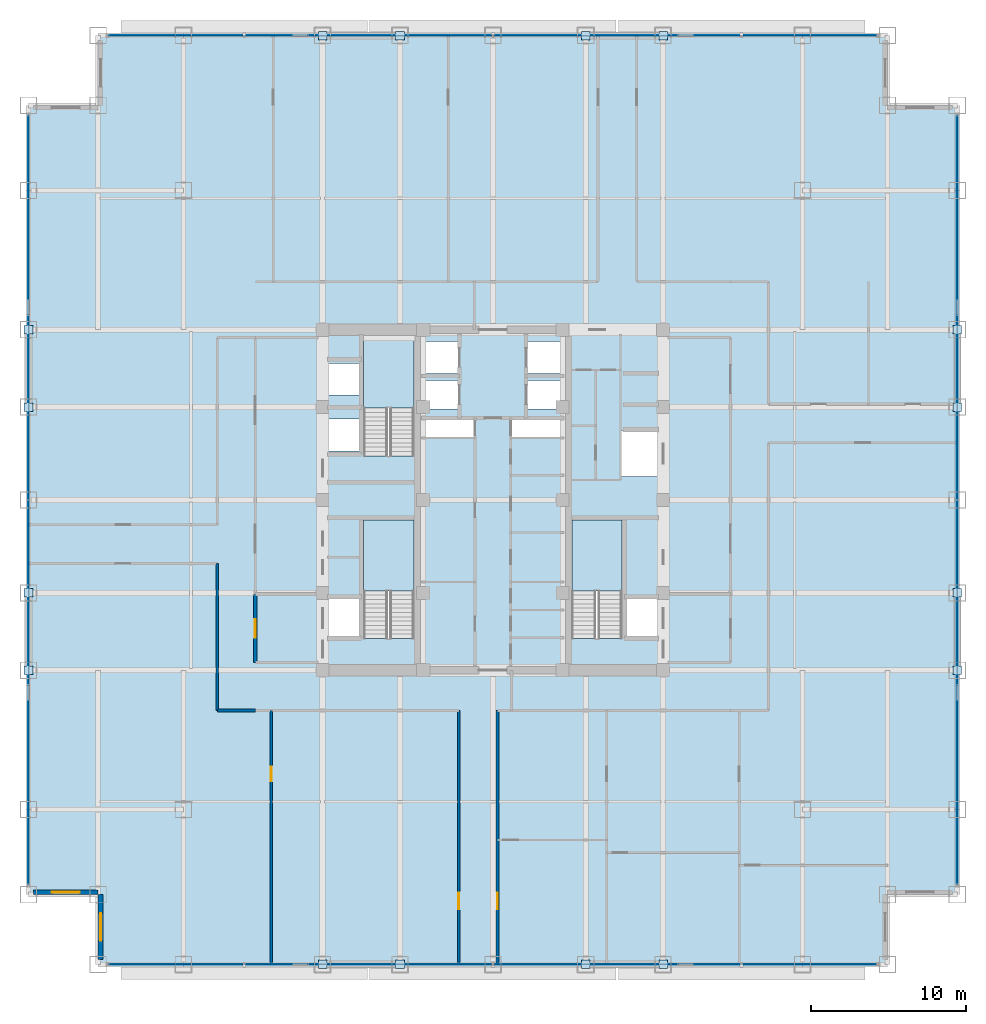
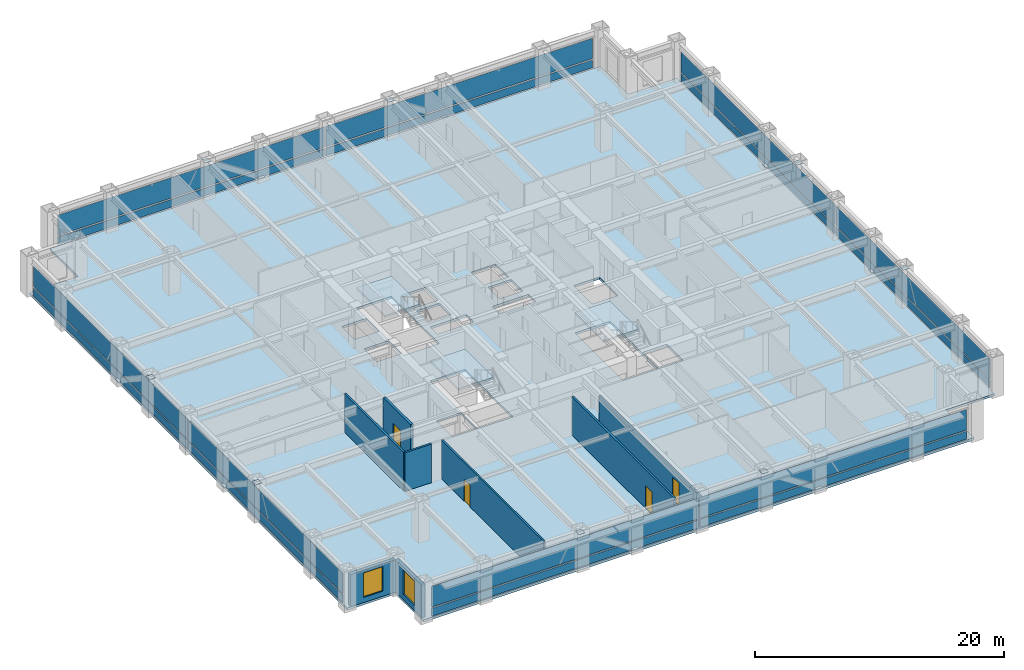
# One storey, part 19 of 28: 32 plates, 8 walls, 4 doors, 4 slabs, 2 windows, 6 openings, 7 elements without a shape of their own.
"""IFC4 building model written with IfcOpenShell, lengths in metres."""

from ifc_helpers import new_model, si_unit, direction, frame, frame_2d, origin, origin_2d, place, context, subcontext, project, spatial, polyline, rectangle, outline, extrude, source, transform, mapped, material, layer, layer_set, type_object, element, fill, aggregate, save


model = new_model("IFC4")

# Units and contexts
model_context = context("Model", 3, precision=1e-05, world=origin(), true_north=direction((0.0, 1.0)))
body_context = subcontext(model_context, "Body", "Model", "MODEL_VIEW")
ifc_project = project(units=[si_unit("LENGTHUNIT", "METRE"), si_unit("AREAUNIT", "SQUARE_METRE"), si_unit("VOLUMEUNIT", "CUBIC_METRE"), si_unit("PLANEANGLEUNIT", "RADIAN"), si_unit("MASSUNIT", "GRAM", prefix="KILO")], contexts=[model_context])

# Site, building, storey
site_placement = place(None, origin())
site = spatial("IfcSite", under=ifc_project, at=site_placement, CompositionType="ELEMENT")
building_placement = place(site_placement, origin())
building = spatial("IfcBuilding", under=site, at=building_placement, Name="Khorayat Bourse Tower", CompositionType="ELEMENT")
storey_placement = place(building_placement, frame((0.0, 0.0, 191.10009765625)))
storey = spatial("IfcBuildingStorey", under=building, at=storey_placement, Name="L44", CompositionType="ELEMENT", Elevation=191.10009765625)

# Stair, slab
ifc_material_1 = material(Name="Concrete C40/50", Category="concrete")
stair_type = type_object("IfcStairType", Name="STR-CORE-1550", PredefinedType="HALF_TURN_STAIR", material=ifc_material_1)
stair_1_placement = place(storey_placement, origin())
stair_1 = element("IfcStair", 1, at=stair_1_placement, inside=storey, type_object=stair_type, Name="L44 Exit Stair ST-1", PredefinedType="HALF_TURN_STAIR")
ifc_layer_1 = layer(ifc_material_1, 0.199951171875)
ifc_layer_set_1 = layer_set([ifc_layer_1], Name="Concrete C40/50")
slab_type_1 = type_object("IfcSlabType", Name="SLB-LANDING-200", PredefinedType="LANDING", material=ifc_layer_set_1)
slab_1_placement = place(storey_placement, frame((0.0, 0.0, 1.7998046875)))
slab_1 = element("IfcSlab", 2, at=slab_1_placement, type_object=slab_type_1, Name="ST-1 landing 1", PredefinedType="LANDING", context=body_context, shape_type="SweptSolid", body=[
    extrude(outline(polyline([(-5.10009765625, -5.8701171875), (-5.10009765625, -1.300048828125), (-8.35009765625, -1.300048828125), (-8.35009765625, -5.8701171875), (-5.10009765625, -5.8701171875)])), origin(), (0.0, 0.0, 1.0), 0.2001953125),
])
aggregate(stair_1, [slab_1])

stair_2_placement = place(storey_placement, origin())
stair_2 = element("IfcStair", 3, at=stair_2_placement, inside=storey, type_object=stair_type, Name="L44 Exit Stair ST-2", PredefinedType="HALF_TURN_STAIR")
slab_2_placement = place(storey_placement, frame((0.0, 0.0, 1.7998046875)))
slab_2 = element("IfcSlab", 4, at=slab_2_placement, type_object=slab_type_1, Name="ST-2 landing 1", PredefinedType="LANDING", context=body_context, shape_type="SweptSolid", body=[
    extrude(outline(polyline([(-5.10009765625, 5.929931640625), (-5.10009765625, 10.5), (-8.35009765625, 10.5), (-8.35009765625, 5.929931640625), (-5.10009765625, 5.929931640625)])), origin(), (0.0, 0.0, 1.0), 0.2001953125),
])
aggregate(stair_2, [slab_2])

stair_3_placement = place(storey_placement, origin())
stair_3 = element("IfcStair", 5, at=stair_3_placement, inside=storey, type_object=stair_type, Name="L44 Exit Stair ST-3", PredefinedType="HALF_TURN_STAIR")
slab_3_placement = place(storey_placement, frame((0.0, 0.0, 1.7998046875)))
slab_3 = element("IfcSlab", 6, at=slab_3_placement, type_object=slab_type_1, Name="ST-3 landing 1", PredefinedType="LANDING", context=body_context, shape_type="SweptSolid", body=[
    extrude(outline(polyline([(8.35009765625, -5.8701171875), (8.35009765625, -1.300048828125), (5.10009765625, -1.300048828125), (5.10009765625, -5.8701171875), (8.35009765625, -5.8701171875)])), origin(), (0.0, 0.0, 1.0), 0.2001953125),
])
aggregate(stair_3, [slab_3])

# Slab
ifc_layer_2 = layer(ifc_material_1, 0.219970703125)
ifc_layer_set_2 = layer_set([ifc_layer_2], Name="Concrete C40/50")
slab_type_2 = type_object("IfcSlabType", Name="SLB-OFFICE-220", PredefinedType="FLOOR", material=ifc_layer_set_2)
slab_4_placement = place(storey_placement, frame((0.0, 0.0, -0.22021484375)))
element("IfcSlab", 7, at=slab_4_placement, inside=storey, type_object=slab_type_2, Name="L44 Main Floor Slab", PredefinedType="FLOOR", context=body_context, shape_type="SweptSolid", body=[
    extrude(outline(polyline([(-25.5, -30.0), (25.5, -30.0), (25.5, -25.5), (30.0, -25.5), (30.0, 25.5), (25.5, 25.5), (25.5, 30.0), (-25.5, 30.0), (-25.5, 25.5), (-30.0, 25.5), (-30.0, -25.5), (-25.5, -25.5), (-25.5, -30.0)]), holes=[polyline([(-8.35009765625, -8.945068359375), (-5.10009765625, -8.945068359375), (-5.10009765625, -1.300048828125), (-8.35009765625, -1.300048828125), (-8.35009765625, -8.945068359375)]), polyline([(-8.35009765625, 2.85498046875), (-5.10009765625, 2.85498046875), (-5.10009765625, 10.5), (-8.35009765625, 10.5), (-8.35009765625, 2.85498046875)]), polyline([(5.10009765625, -8.945068359375), (8.35009765625, -8.945068359375), (8.35009765625, -1.300048828125), (5.10009765625, -1.300048828125), (5.10009765625, -8.945068359375)]), polyline([(-4.3798828125, 8.169921875), (-2.1201171875, 8.169921875), (-2.1201171875, 10.22998046875), (-4.3798828125, 10.22998046875), (-4.3798828125, 8.169921875)]), polyline([(2.1201171875, 8.169921875), (4.3798828125, 8.169921875), (4.3798828125, 10.22998046875), (2.1201171875, 10.22998046875), (2.1201171875, 8.169921875)]), polyline([(-4.3798828125, 5.8701171875), (-2.219970703125, 5.8701171875), (-2.219970703125, 7.72998046875), (-4.3798828125, 7.72998046875), (-4.3798828125, 5.8701171875)]), polyline([(2.219970703125, 5.8701171875), (4.3798828125, 5.8701171875), (4.3798828125, 7.72998046875), (2.219970703125, 7.72998046875), (2.219970703125, 5.8701171875)]), polyline([(-10.679931640625, 3.169921875), (-8.419921875, 3.169921875), (-8.419921875, 5.22998046875), (-10.679931640625, 5.22998046875), (-10.679931640625, 3.169921875)]), polyline([(-10.679931640625, 6.77001953125), (-8.419921875, 6.77001953125), (-8.419921875, 8.830078125), (-10.679931640625, 8.830078125), (-10.679931640625, 6.77001953125)]), polyline([(-10.679931640625, -8.929931640625), (-8.419921875, -8.929931640625), (-8.419921875, -6.3701171875), (-10.679931640625, -6.3701171875), (-10.679931640625, -8.929931640625)]), polyline([(8.419921875, -8.929931640625), (10.679931640625, -8.929931640625), (10.679931640625, -6.3701171875), (8.419921875, -6.3701171875), (8.419921875, -8.929931640625)]), polyline([(8.320068359375, 1.52001953125), (10.679931640625, 1.52001953125), (10.679931640625, 4.47998046875), (8.320068359375, 4.47998046875), (8.320068359375, 1.52001953125)]), polyline([(-4.56005859375, 4.080078125), (-1.18994140625, 4.080078125), (-1.18994140625, 5.219970703125), (-4.56005859375, 5.219970703125), (-4.56005859375, 4.080078125)]), polyline([(1.18994140625, 4.080078125), (4.56005859375, 4.080078125), (4.56005859375, 5.219970703125), (1.18994140625, 5.219970703125), (1.18994140625, 4.080078125)])]), origin(), (0.0, 0.0, 1.0), 0.22021484375),
])

# Plates
ifc_material_2 = material(Name="Steel EN 10025-2 S355J2", Category="steel")
ifc_layer_3 = layer(ifc_material_2, 0.02490234375)
ifc_layer_set_3 = layer_set([ifc_layer_3], Name="Steel EN 10025-2 S355J2")
plate_type_1 = type_object("IfcPlateType", Name="PLT-ENDCAP-25", PredefinedType="SHEET", material=ifc_layer_set_3)
shared_shape_1 = source(origin(), body_context, "Body", "SweptSolid", [
    extrude(rectangle(XDim=0.56005859375, YDim=0.56005859375, at=origin_2d()), origin(), (0.0, 0.0, 1.0), 0.02490234375),
])
for number, where, z_axis, x_axis, name in (
    (8, (-11.0, -30.0, 3.517333984375), (0.0, 0.0, 1.0), (1.0, 0.0, 0.0), "L44 Perimeter Brace End Plate 001"),
    (9, (-6.0, -30.0, 0.237548828125), (0.0, 0.0, 1.0), (1.0, 0.0, 0.0), "L44 Perimeter Brace End Plate 002"),
    (10, (6.0, -30.0, 3.517333984375), (0.0, 0.0, 1.0), (1.0, 0.0, 0.0), "L44 Perimeter Brace End Plate 003"),
    (11, (11.0, -30.0, 0.237548828125), (0.0, 0.0, 1.0), (1.0, 0.0, 0.0), "L44 Perimeter Brace End Plate 004"),
    (12, (-11.0, 30.0, 3.517333984375), (0.0, 0.0, 1.0), (1.0, 0.0, 0.0), "L44 Perimeter Brace End Plate 005"),
    (13, (-6.0, 30.0, 0.237548828125), (0.0, 0.0, 1.0), (1.0, 0.0, 0.0), "L44 Perimeter Brace End Plate 006"),
    (14, (6.0, 30.0, 3.517333984375), (0.0, 0.0, 1.0), (1.0, 0.0, 0.0), "L44 Perimeter Brace End Plate 007"),
    (15, (11.0, 30.0, 0.237548828125), (0.0, 0.0, 1.0), (1.0, 0.0, 0.0), "L44 Perimeter Brace End Plate 008"),
    (16, (-30.0, -11.0, 3.517333984375), (0.0, 0.0, 1.0), (1.0, 0.0, 0.0), "L44 Perimeter Brace End Plate 009"),
    (17, (-30.0, -6.0, 0.237548828125), (0.0, 0.0, 1.0), (1.0, 0.0, 0.0), "L44 Perimeter Brace End Plate 010"),
    (18, (-30.0, 6.0, 3.517333984375), (0.0, 0.0, 1.0), (1.0, 0.0, 0.0), "L44 Perimeter Brace End Plate 011"),
    (19, (-30.0, 11.0, 0.237548828125), (0.0, 0.0, 1.0), (1.0, 0.0, 0.0), "L44 Perimeter Brace End Plate 012"),
    (20, (30.0, -11.0, 3.517333984375), (0.0, 0.0, 1.0), (1.0, 0.0, 0.0), "L44 Perimeter Brace End Plate 013"),
    (21, (30.0, -6.0, 0.237548828125), (0.0, 0.0, 1.0), (1.0, 0.0, 0.0), "L44 Perimeter Brace End Plate 014"),
    (22, (30.0, 6.0, 3.517333984375), (0.0, 0.0, 1.0), (1.0, 0.0, 0.0), "L44 Perimeter Brace End Plate 015"),
    (23, (30.0, 11.0, 0.237548828125), (0.0, 0.0, 1.0), (1.0, 0.0, 0.0), "L44 Perimeter Brace End Plate 016"),
):
    element("IfcPlate", number, at=place(storey_placement, frame(where, z_axis=z_axis, x_axis=x_axis)), inside=storey, type_object=plate_type_1, Name=name, PredefinedType="SHEET", context=body_context, shape_type="MappedRepresentation", body=[
        mapped(shared_shape_1, transform((0.0, 0.0, 0.0), scale=1.0)),
    ])

# Curtain wall, plates
ifc_material_3 = material(Name="Aluminium EN AW-6063 T6", Category="aluminium")
curtain_wall_type = type_object("IfcCurtainWallType", Name="CW-SYS-03", PredefinedType="NOTDEFINED", material=ifc_material_3)
curtain_wall_1_placement = place(storey_placement, origin())
curtain_wall_1 = element("IfcCurtainWall", 24, at=curtain_wall_1_placement, inside=storey, type_object=curtain_wall_type, Name="L44 Curtain Wall CW-L44-S1", PredefinedType="NOTDEFINED")
ifc_material_4 = material(Name="Honed desert limestone insulated spandrel", Category="masonry")
ifc_layer_4 = layer(ifc_material_4, 0.06494140625)
ifc_layer_set_4 = layer_set([ifc_layer_4], Name="Honed desert limestone insulated spandrel")
plate_type_2 = type_object("IfcPlateType", Name="CWP-SPAND-03", PredefinedType="CURTAIN_PANEL", material=ifc_layer_set_4)
shared_shape_2 = source(origin(), body_context, "Body", "SweptSolid", [
    extrude(rectangle(XDim=24.719970703125, YDim=0.06494140625, at=origin_2d()), origin(), (0.0, 0.0, 1.0), 0.77001953125),
])
plate_1_placement = place(storey_placement, frame((-12.419921875, -30.0, 0.119873046875), z_axis=(0.0, 0.0, 1.0), x_axis=(1.0, 0.0, 0.0)))
plate_1 = element("IfcPlate", 25, at=plate_1_placement, type_object=plate_type_2, Name="CW-L44-S1 Spandrel Panel 1-1", PredefinedType="CURTAIN_PANEL", context=body_context, shape_type="MappedRepresentation", body=[
    mapped(shared_shape_2, transform((0.0, 0.0, 0.0), scale=1.0)),
])
plate_2_placement = place(storey_placement, frame((12.419921875, -30.0, 0.119873046875), z_axis=(0.0, 0.0, 1.0), x_axis=(1.0, 0.0, 0.0)))
plate_2 = element("IfcPlate", 26, at=plate_2_placement, type_object=plate_type_2, Name="CW-L44-S1 Spandrel Panel 2-1", PredefinedType="CURTAIN_PANEL", context=body_context, shape_type="MappedRepresentation", body=[
    mapped(shared_shape_2, transform((0.0, 0.0, 0.0), scale=1.0)),
])

curtain_wall_2_placement = place(storey_placement, origin())
curtain_wall_2 = element("IfcCurtainWall", 27, at=curtain_wall_2_placement, inside=storey, type_object=curtain_wall_type, Name="L44 Curtain Wall CW-L44-N1", PredefinedType="NOTDEFINED")
plate_3_placement = place(storey_placement, frame((-12.419921875, 30.0, 0.119873046875), z_axis=(0.0, 0.0, 1.0), x_axis=(1.0, 0.0, 0.0)))
plate_3 = element("IfcPlate", 28, at=plate_3_placement, type_object=plate_type_2, Name="CW-L44-N1 Spandrel Panel 1-1", PredefinedType="CURTAIN_PANEL", context=body_context, shape_type="MappedRepresentation", body=[
    mapped(shared_shape_2, transform((0.0, 0.0, 0.0), scale=1.0)),
])
plate_4_placement = place(storey_placement, frame((12.419921875, 30.0, 0.119873046875), z_axis=(0.0, 0.0, 1.0), x_axis=(1.0, 0.0, 0.0)))
plate_4 = element("IfcPlate", 29, at=plate_4_placement, type_object=plate_type_2, Name="CW-L44-N1 Spandrel Panel 2-1", PredefinedType="CURTAIN_PANEL", context=body_context, shape_type="MappedRepresentation", body=[
    mapped(shared_shape_2, transform((0.0, 0.0, 0.0), scale=1.0)),
])

curtain_wall_3_placement = place(storey_placement, origin())
curtain_wall_3 = element("IfcCurtainWall", 30, at=curtain_wall_3_placement, inside=storey, type_object=curtain_wall_type, Name="L44 Curtain Wall CW-L44-W1", PredefinedType="NOTDEFINED")
plate_5_placement = place(storey_placement, frame((-30.0, -12.419921875, 0.119873046875), z_axis=(0.0, 0.0, 1.0), x_axis=(0.0, 1.0, 0.0)))
plate_5 = element("IfcPlate", 31, at=plate_5_placement, type_object=plate_type_2, Name="CW-L44-W1 Spandrel Panel 1-1", PredefinedType="CURTAIN_PANEL", context=body_context, shape_type="MappedRepresentation", body=[
    mapped(shared_shape_2, transform((0.0, 0.0, 0.0), scale=1.0)),
])
plate_6_placement = place(storey_placement, frame((-30.0, 12.419921875, 0.119873046875), z_axis=(0.0, 0.0, 1.0), x_axis=(0.0, 1.0, 0.0)))
plate_6 = element("IfcPlate", 32, at=plate_6_placement, type_object=plate_type_2, Name="CW-L44-W1 Spandrel Panel 2-1", PredefinedType="CURTAIN_PANEL", context=body_context, shape_type="MappedRepresentation", body=[
    mapped(shared_shape_2, transform((0.0, 0.0, 0.0), scale=1.0)),
])

curtain_wall_4_placement = place(storey_placement, origin())
curtain_wall_4 = element("IfcCurtainWall", 33, at=curtain_wall_4_placement, inside=storey, type_object=curtain_wall_type, Name="L44 Curtain Wall CW-L44-E1", PredefinedType="NOTDEFINED")
plate_7_placement = place(storey_placement, frame((30.0, -12.419921875, 0.119873046875), z_axis=(0.0, 0.0, 1.0), x_axis=(0.0, 1.0, 0.0)))
plate_7 = element("IfcPlate", 34, at=plate_7_placement, type_object=plate_type_2, Name="CW-L44-E1 Spandrel Panel 1-1", PredefinedType="CURTAIN_PANEL", context=body_context, shape_type="MappedRepresentation", body=[
    mapped(shared_shape_2, transform((0.0, 0.0, 0.0), scale=1.0)),
])
plate_8_placement = place(storey_placement, frame((30.0, 12.419921875, 0.119873046875), z_axis=(0.0, 0.0, 1.0), x_axis=(0.0, 1.0, 0.0)))
plate_8 = element("IfcPlate", 35, at=plate_8_placement, type_object=plate_type_2, Name="CW-L44-E1 Spandrel Panel 2-1", PredefinedType="CURTAIN_PANEL", context=body_context, shape_type="MappedRepresentation", body=[
    mapped(shared_shape_2, transform((0.0, 0.0, 0.0), scale=1.0)),
])

# Plate
ifc_material_5 = material(Name="Low-E solar-control laminated double glazing", Category="glass")
ifc_layer_5 = layer(ifc_material_5, 0.035888671875)
ifc_layer_set_5 = layer_set([ifc_layer_5], Name="Low-E solar-control laminated double glazing")
plate_type_3 = type_object("IfcPlateType", Name="CWP-VIS-01", PredefinedType="CURTAIN_PANEL", material=ifc_layer_set_5)
shared_shape_3 = source(origin(), body_context, "Body", "SweptSolid", [
    extrude(rectangle(XDim=24.719970703125, YDim=0.035888671875, at=origin_2d()), origin(), (0.0, 0.0, 1.0), 2.0),
])
plate_9_placement = place(storey_placement, frame((-12.419921875, -30.0, 1.010009765625), z_axis=(0.0, 0.0, 1.0), x_axis=(1.0, 0.0, 0.0)))
plate_9 = element("IfcPlate", 36, at=plate_9_placement, type_object=plate_type_3, Name="CW-L44-S1 Vision Panel 1-2", PredefinedType="CURTAIN_PANEL", context=body_context, shape_type="MappedRepresentation", body=[
    mapped(shared_shape_3, transform((0.0, 0.0, 0.0), scale=1.0)),
])

plate_10_placement = place(storey_placement, frame((12.419921875, -30.0, 1.010009765625), z_axis=(0.0, 0.0, 1.0), x_axis=(1.0, 0.0, 0.0)))
plate_10 = element("IfcPlate", 37, at=plate_10_placement, type_object=plate_type_3, Name="CW-L44-S1 Vision Panel 2-2", PredefinedType="CURTAIN_PANEL", context=body_context, shape_type="MappedRepresentation", body=[
    mapped(shared_shape_3, transform((0.0, 0.0, 0.0), scale=1.0)),
])

aggregate(curtain_wall_1, [plate_1, plate_9, plate_2, plate_10])

plate_11_placement = place(storey_placement, frame((-12.419921875, 30.0, 1.010009765625), z_axis=(0.0, 0.0, 1.0), x_axis=(1.0, 0.0, 0.0)))
plate_11 = element("IfcPlate", 38, at=plate_11_placement, type_object=plate_type_3, Name="CW-L44-N1 Vision Panel 1-2", PredefinedType="CURTAIN_PANEL", context=body_context, shape_type="MappedRepresentation", body=[
    mapped(shared_shape_3, transform((0.0, 0.0, 0.0), scale=1.0)),
])

plate_12_placement = place(storey_placement, frame((12.419921875, 30.0, 1.010009765625), z_axis=(0.0, 0.0, 1.0), x_axis=(1.0, 0.0, 0.0)))
plate_12 = element("IfcPlate", 39, at=plate_12_placement, type_object=plate_type_3, Name="CW-L44-N1 Vision Panel 2-2", PredefinedType="CURTAIN_PANEL", context=body_context, shape_type="MappedRepresentation", body=[
    mapped(shared_shape_3, transform((0.0, 0.0, 0.0), scale=1.0)),
])

aggregate(curtain_wall_2, [plate_3, plate_11, plate_4, plate_12])

plate_13_placement = place(storey_placement, frame((-30.0, -12.419921875, 1.010009765625), z_axis=(0.0, 0.0, 1.0), x_axis=(0.0, 1.0, 0.0)))
plate_13 = element("IfcPlate", 40, at=plate_13_placement, type_object=plate_type_3, Name="CW-L44-W1 Vision Panel 1-2", PredefinedType="CURTAIN_PANEL", context=body_context, shape_type="MappedRepresentation", body=[
    mapped(shared_shape_3, transform((0.0, 0.0, 0.0), scale=1.0)),
])

plate_14_placement = place(storey_placement, frame((-30.0, 12.419921875, 1.010009765625), z_axis=(0.0, 0.0, 1.0), x_axis=(0.0, 1.0, 0.0)))
plate_14 = element("IfcPlate", 41, at=plate_14_placement, type_object=plate_type_3, Name="CW-L44-W1 Vision Panel 2-2", PredefinedType="CURTAIN_PANEL", context=body_context, shape_type="MappedRepresentation", body=[
    mapped(shared_shape_3, transform((0.0, 0.0, 0.0), scale=1.0)),
])

aggregate(curtain_wall_3, [plate_5, plate_13, plate_6, plate_14])

plate_15_placement = place(storey_placement, frame((30.0, -12.419921875, 1.010009765625), z_axis=(0.0, 0.0, 1.0), x_axis=(0.0, 1.0, 0.0)))
plate_15 = element("IfcPlate", 42, at=plate_15_placement, type_object=plate_type_3, Name="CW-L44-E1 Vision Panel 1-2", PredefinedType="CURTAIN_PANEL", context=body_context, shape_type="MappedRepresentation", body=[
    mapped(shared_shape_3, transform((0.0, 0.0, 0.0), scale=1.0)),
])

plate_16_placement = place(storey_placement, frame((30.0, 12.419921875, 1.010009765625), z_axis=(0.0, 0.0, 1.0), x_axis=(0.0, 1.0, 0.0)))
plate_16 = element("IfcPlate", 43, at=plate_16_placement, type_object=plate_type_3, Name="CW-L44-E1 Vision Panel 2-2", PredefinedType="CURTAIN_PANEL", context=body_context, shape_type="MappedRepresentation", body=[
    mapped(shared_shape_3, transform((0.0, 0.0, 0.0), scale=1.0)),
])

aggregate(curtain_wall_4, [plate_7, plate_15, plate_8, plate_16])

# Wall, opening, window
ifc_material_6 = material(Name="Precast concrete C45/55", Category="concrete")
ifc_layer_6 = layer(ifc_material_6, 0.320068359375)
ifc_layer_set_6 = layer_set([ifc_layer_6], Name="Precast concrete C45/55")
wall_type_1 = type_object("IfcWallType", Name="WAL-EXT-STONE-320", PredefinedType="STANDARD", material=ifc_layer_set_6)
shared_shape_4 = source(origin(), body_context, "Body", "SweptSolid", [
    extrude(rectangle(XDim=4.179931640625, YDim=0.320068359375, at=frame_2d((2.08984375, 0.0))), origin(), (0.0, 0.0, 1.0), 3.163818359375),
])
wall_1_placement = place(storey_placement, frame((-25.5, -25.340087890625, 0.0), z_axis=(0.0, 0.0, 1.0), x_axis=(-1.0, 0.0, 0.0)))
wall_1 = element("IfcWall", 44, at=wall_1_placement, inside=storey, type_object=wall_type_1, Name="L44 Re-Entrant Notch Limestone Wall SW-H", PredefinedType="STANDARD", context=body_context, shape_type="MappedRepresentation", body=[
    mapped(shared_shape_4, transform((0.0, 0.0, 0.0), scale=1.0)),
])
shared_shape_5 = source(origin(), body_context, "Body", "SweptSolid", [
    extrude(rectangle(XDim=1.800048828125, YDim=2.39990234375, at=frame_2d((0.89990234375, 1.199951171875))), frame((0.0, 0.169921875, 0.0), z_axis=(0.0, -1.0, 0.0), x_axis=(1.0, 0.0, 0.0)), (0.0, 0.0, 1.0), 0.340087890625),
])
opening_1_placement = place(wall_1_placement, frame((1.18994140625, 0.0, 0.5)))
opening_1 = element("IfcOpeningElement", 45, at=opening_1_placement, cuts=wall_1, Name="Opening WN-04", PredefinedType="OPENING", context=body_context, shape_type="MappedRepresentation", body=[
    mapped(shared_shape_5, transform((0.0, 0.0, 0.0), scale=1.0)),
])
ifc_material_7 = material(Name="Low-E acoustic laminated double glazing", Category="glass")
window_type = type_object("IfcWindowType", Name="WIN-NOTCH-1800x2400", PartitioningType="SINGLE_PANEL", PredefinedType="WINDOW", material=ifc_material_7)
shared_shape_6 = source(origin(), body_context, "Body", "SweptSolid", [
    extrude(rectangle(XDim=1.800048828125, YDim=2.39990234375, at=frame_2d((0.89990234375, 1.199951171875))), frame((0.0, 0.030029296875, 0.0), z_axis=(0.0, -1.0, 0.0), x_axis=(1.0, 0.0, 0.0)), (0.0, 0.0, 1.0), 0.06005859375),
])
window_1_placement = place(opening_1_placement, origin())
window_1 = element("IfcWindow", 46, at=window_1_placement, inside=storey, type_object=window_type, Name="L44 Facade Window 1", OverallHeight=2.39990234375, OverallWidth=1.800048828125, PartitioningType="SINGLE_PANEL", PredefinedType="WINDOW", context=body_context, shape_type="MappedRepresentation", body=[
    mapped(shared_shape_6, transform((0.0, 0.0, 0.0), scale=1.0)),
])
fill(opening_1, window_1)

wall_2_placement = place(storey_placement, frame((-25.340087890625, -29.679931640625, 0.0), z_axis=(0.0, 0.0, 1.0), x_axis=(0.0, 1.0, 0.0)))
wall_2 = element("IfcWall", 47, at=wall_2_placement, inside=storey, type_object=wall_type_1, Name="L44 Re-Entrant Notch Limestone Wall SW-V", PredefinedType="STANDARD", context=body_context, shape_type="MappedRepresentation", body=[
    mapped(shared_shape_4, transform((0.0, 0.0, 0.0), scale=1.0)),
])
opening_2_placement = place(wall_2_placement, frame((1.18994140625, 0.0, 0.5)))
opening_2 = element("IfcOpeningElement", 48, at=opening_2_placement, cuts=wall_2, Name="Opening WN-04", PredefinedType="OPENING", context=body_context, shape_type="MappedRepresentation", body=[
    mapped(shared_shape_5, transform((0.0, 0.0, 0.0), scale=1.0)),
])
window_2_placement = place(opening_2_placement, origin())
window_2 = element("IfcWindow", 49, at=window_2_placement, inside=storey, type_object=window_type, Name="L44 Facade Window 1", OverallHeight=2.39990234375, OverallWidth=1.800048828125, PartitioningType="SINGLE_PANEL", PredefinedType="WINDOW", context=body_context, shape_type="MappedRepresentation", body=[
    mapped(shared_shape_6, transform((0.0, 0.0, 0.0), scale=1.0)),
])
fill(opening_2, window_2)

# Wall, opening, door
ifc_material_8 = material(Name="Aerated concrete blockwork", Category="masonry")
ifc_layer_7 = layer(ifc_material_8, 0.219970703125)
ifc_layer_set_7 = layer_set([ifc_layer_7], Name="Aerated concrete blockwork")
wall_type_2 = type_object("IfcWallType", Name="WAL-PART-FF-220", PredefinedType="PARTITIONING", material=ifc_layer_set_7)
shared_shape_7 = source(origin(), body_context, "Body", "SweptSolid", [
    extrude(rectangle(XDim=4.39990234375, YDim=0.219970703125, at=frame_2d((2.199951171875, 0.0))), origin(), (0.0, 0.0, 1.0), 3.77978515625),
])
wall_3_placement = place(storey_placement, frame((-15.35009765625, -10.5, 0.0), z_axis=(0.0, 0.0, 1.0), x_axis=(0.0, 1.0, 0.0)))
wall_3 = element("IfcWall", 50, at=wall_3_placement, inside=storey, type_object=wall_type_2, Name="L44 Partition WAL-L44-FFLW-W", PredefinedType="PARTITIONING", context=body_context, shape_type="MappedRepresentation", body=[
    mapped(shared_shape_7, transform((0.0, 0.0, 0.0), scale=1.0)),
])
shared_shape_8 = source(origin(), body_context, "Body", "SweptSolid", [
    extrude(rectangle(XDim=1.199951171875, YDim=2.199951171875, at=frame_2d((0.60009765625, 1.10009765625))), frame((0.0, 0.119873046875, 0.0), z_axis=(0.0, -1.0, 0.0), x_axis=(1.0, 0.0, 0.0)), (0.0, 0.0, 1.0), 0.239990234375),
])
opening_3_placement = place(wall_3_placement, frame((1.60009765625, 0.0, 0.0)))
opening_3 = element("IfcOpeningElement", 51, at=opening_3_placement, cuts=wall_3, Name="Opening DI-02", PredefinedType="OPENING", context=body_context, shape_type="MappedRepresentation", body=[
    mapped(shared_shape_8, transform((0.0, 0.0, 0.0), scale=1.0)),
])
ifc_material_9 = material(Name="Fire-rated steel double-seal leaf", Category="steel")
door_type_1 = type_object("IfcDoorType", Name="DR-INT-FFLOBBY-1200", OperationType="NOTDEFINED", PredefinedType="DOOR", material=ifc_material_9)
shared_shape_9 = source(origin(), body_context, "Body", "SweptSolid", [
    extrude(rectangle(XDim=1.199951171875, YDim=2.199951171875, at=frame_2d((0.60009765625, 1.10009765625))), frame((0.0, 0.02490234375, 0.0), z_axis=(0.0, -1.0, 0.0), x_axis=(1.0, 0.0, 0.0)), (0.0, 0.0, 1.0), 0.050048828125),
])
door_1_placement = place(opening_3_placement, origin())
door_1 = element("IfcDoor", 52, at=door_1_placement, inside=storey, type_object=door_type_1, Name="L44 West Firefighting Lobby Door", OperationType="SINGLE_SWING_LEFT", OverallHeight=2.199951171875, OverallWidth=1.199951171875, PredefinedType="DOOR", context=body_context, shape_type="MappedRepresentation", body=[
    mapped(shared_shape_9, transform((0.0, 0.0, 0.0), scale=1.0)),
])
fill(opening_3, door_1)

# Wall
ifc_material_10 = material(Name="Gypsum plasterboard acoustic stud wall")
ifc_layer_8 = layer(ifc_material_10, 0.179931640625)
ifc_layer_set_8 = layer_set([ifc_layer_8], Name="Gypsum plasterboard acoustic stud wall")
wall_type_3 = type_object("IfcWallType", Name="WAL-PART-CORR-180", PredefinedType="PARTITIONING", material=ifc_layer_set_8)
shared_shape_10 = source(origin(), body_context, "Body", "SweptSolid", [
    extrude(rectangle(XDim=2.449951171875, YDim=0.179931640625, at=frame_2d((1.22509765625, 0.0))), origin(), (0.0, 0.0, 1.0), 3.77978515625),
])
wall_4_placement = place(storey_placement, frame((-17.800048828125, -13.60009765625, 0.0), z_axis=(0.0, 0.0, 1.0), x_axis=(1.0, 0.0, 0.0)))
element("IfcWall", 53, at=wall_4_placement, inside=storey, type_object=wall_type_3, Name="L44 Partition WAL-L44-C2-WS", PredefinedType="PARTITIONING", context=body_context, shape_type="MappedRepresentation", body=[
    mapped(shared_shape_10, transform((0.0, 0.0, 0.0), scale=1.0)),
])

# Wall, opening, door
shared_shape_11 = source(origin(), body_context, "Body", "SweptSolid", [
    extrude(rectangle(XDim=16.39990234375, YDim=0.179931640625, at=frame_2d((8.199951171875, 0.0))), origin(), (0.0, 0.0, 1.0), 3.0068359375),
])
wall_5_placement = place(storey_placement, frame((0.300048828125, -30.0, 0.0), z_axis=(0.0, 0.0, 1.0), x_axis=(0.0, 1.0, 0.0)))
wall_5 = element("IfcWall", 54, at=wall_5_placement, inside=storey, type_object=wall_type_3, Name="L44 Partition WAL-L44-QSE-SPK", PredefinedType="PARTITIONING", context=body_context, shape_type="MappedRepresentation", body=[
    mapped(shared_shape_11, transform((0.0, 0.0, 0.0), scale=1.0)),
])
shared_shape_12 = source(origin(), body_context, "Body", "SweptSolid", [
    extrude(rectangle(XDim=1.050048828125, YDim=2.199951171875, at=frame_2d((0.52490234375, 1.10009765625))), frame((0.0, 0.099853515625, 0.0), z_axis=(0.0, -1.0, 0.0), x_axis=(1.0, 0.0, 0.0)), (0.0, 0.0, 1.0), 0.199951171875),
])
opening_4_placement = place(wall_5_placement, frame((3.574951171875, 0.0, 0.0)))
opening_4 = element("IfcOpeningElement", 55, at=opening_4_placement, cuts=wall_5, Name="Opening DI-04", PredefinedType="OPENING", context=body_context, shape_type="MappedRepresentation", body=[
    mapped(shared_shape_12, transform((0.0, 0.0, 0.0), scale=1.0)),
])
ifc_material_11 = material(Name="Fire-rated oak veneer suite entrance door")
door_type_2 = type_object("IfcDoorType", Name="DR-INT-SUITE-1050", OperationType="NOTDEFINED", PredefinedType="DOOR", material=ifc_material_11)
shared_shape_13 = source(origin(), body_context, "Body", "SweptSolid", [
    extrude(rectangle(XDim=1.050048828125, YDim=2.199951171875, at=frame_2d((0.52490234375, 1.10009765625))), frame((0.0, 0.02490234375, 0.0), z_axis=(0.0, -1.0, 0.0), x_axis=(1.0, 0.0, 0.0)), (0.0, 0.0, 1.0), 0.050048828125),
])
door_2_placement = place(opening_4_placement, origin())
door_2 = element("IfcDoor", 56, at=door_2_placement, inside=storey, type_object=door_type_2, Name="L44 South-East Radial Spoke Entry", OperationType="SINGLE_SWING_LEFT", OverallHeight=2.199951171875, OverallWidth=1.050048828125, PredefinedType="DOOR", context=body_context, shape_type="MappedRepresentation", body=[
    mapped(shared_shape_13, transform((0.0, 0.0, 0.0), scale=1.0)),
])
fill(opening_4, door_2)

ifc_material_12 = material(Name="Gypsum plasterboard twin-frame partition")
ifc_layer_9 = layer(ifc_material_12, 0.14990234375)
ifc_layer_set_9 = layer_set([ifc_layer_9], Name="Gypsum plasterboard twin-frame partition")
wall_type_4 = type_object("IfcWallType", Name="WAL-PART-SUITE-150", PredefinedType="PARTITIONING", material=ifc_layer_set_9)
shared_shape_14 = source(origin(), body_context, "Body", "SweptSolid", [
    extrude(rectangle(XDim=16.39990234375, YDim=0.14990234375, at=frame_2d((8.199951171875, 0.0))), origin(), (0.0, 0.0, 1.0), 3.77978515625),
])
wall_6_placement = place(storey_placement, frame((-14.31591796875, -30.0, 0.0), z_axis=(0.0, 0.0, 1.0), x_axis=(0.0, 1.0, 0.0)))
wall_6 = element("IfcWall", 57, at=wall_6_placement, inside=storey, type_object=wall_type_4, Name="L44 Partition WAL-L44-QSWDV-1", PredefinedType="PARTITIONING", context=body_context, shape_type="MappedRepresentation", body=[
    mapped(shared_shape_14, transform((0.0, 0.0, 0.0), scale=1.0)),
])
shared_shape_15 = source(origin(), body_context, "Body", "SweptSolid", [
    extrude(rectangle(XDim=0.949951171875, YDim=2.14990234375, at=frame_2d((0.47509765625, 1.074951171875))), frame((0.0, 0.0849609375, 0.0), z_axis=(0.0, -1.0, 0.0), x_axis=(1.0, 0.0, 0.0)), (0.0, 0.0, 1.0), 0.169921875),
])
opening_5_placement = place(wall_6_placement, frame((11.824951171875, 0.0, 0.0)))
opening_5 = element("IfcOpeningElement", 58, at=opening_5_placement, cuts=wall_6, Name="Opening DI-05", PredefinedType="OPENING", context=body_context, shape_type="MappedRepresentation", body=[
    mapped(shared_shape_15, transform((0.0, 0.0, 0.0), scale=1.0)),
])
ifc_material_13 = material(Name="Acoustic oak veneer office door")
door_type_3 = type_object("IfcDoorType", Name="DR-INT-OFFICE-950", OperationType="NOTDEFINED", PredefinedType="DOOR", material=ifc_material_13)
shared_shape_16 = source(origin(), body_context, "Body", "SweptSolid", [
    extrude(rectangle(XDim=0.949951171875, YDim=2.14990234375, at=frame_2d((0.47509765625, 1.074951171875))), frame((0.0, 0.02490234375, 0.0), z_axis=(0.0, -1.0, 0.0), x_axis=(1.0, 0.0, 0.0)), (0.0, 0.0, 1.0), 0.050048828125),
])
door_3_placement = place(opening_5_placement, origin())
door_3 = element("IfcDoor", 59, at=door_3_placement, inside=storey, type_object=door_type_3, Name="L44 South-West Suite Link 1", OperationType="SINGLE_SWING_RIGHT", OverallHeight=2.14990234375, OverallWidth=0.949951171875, PredefinedType="DOOR", context=body_context, shape_type="MappedRepresentation", body=[
    mapped(shared_shape_16, transform((0.0, 0.0, 0.0), scale=1.0)),
])
fill(opening_5, door_3)

shared_shape_17 = source(origin(), body_context, "Body", "SweptSolid", [
    extrude(rectangle(XDim=16.39990234375, YDim=0.179931640625, at=frame_2d((8.199951171875, 0.0))), origin(), (0.0, 0.0, 1.0), 3.77978515625),
])
wall_7_placement = place(storey_placement, frame((-2.199951171875, -30.0, 0.0), z_axis=(0.0, 0.0, 1.0), x_axis=(0.0, 1.0, 0.0)))
wall_7 = element("IfcWall", 60, at=wall_7_placement, inside=storey, type_object=wall_type_3, Name="L44 Partition WAL-L44-QSW-SPK", PredefinedType="PARTITIONING", context=body_context, shape_type="MappedRepresentation", body=[
    mapped(shared_shape_17, transform((0.0, 0.0, 0.0), scale=1.0)),
])
opening_6_placement = place(wall_7_placement, frame((3.574951171875, 0.0, 0.0)))
opening_6 = element("IfcOpeningElement", 61, at=opening_6_placement, cuts=wall_7, Name="Opening DI-04", PredefinedType="OPENING", context=body_context, shape_type="MappedRepresentation", body=[
    mapped(shared_shape_12, transform((0.0, 0.0, 0.0), scale=1.0)),
])
door_4_placement = place(opening_6_placement, origin())
door_4 = element("IfcDoor", 62, at=door_4_placement, inside=storey, type_object=door_type_2, Name="L44 South-West Radial Spoke Entry", OperationType="SINGLE_SWING_LEFT", OverallHeight=2.199951171875, OverallWidth=1.050048828125, PredefinedType="DOOR", context=body_context, shape_type="MappedRepresentation", body=[
    mapped(shared_shape_13, transform((0.0, 0.0, 0.0), scale=1.0)),
])
fill(opening_6, door_4)

# Wall
shared_shape_18 = source(origin(), body_context, "Body", "SweptSolid", [
    extrude(rectangle(XDim=9.5, YDim=0.179931640625, at=frame_2d((4.75, 0.0))), origin(), (0.0, 0.0, 1.0), 3.77978515625),
])
wall_8_placement = place(storey_placement, frame((-17.800048828125, -13.60009765625, 0.0), z_axis=(0.0, 0.0, 1.0), x_axis=(0.0, 1.0, 0.0)))
element("IfcWall", 63, at=wall_8_placement, inside=storey, type_object=wall_type_3, Name="L44 Partition WAL-L44-WS-IN", PredefinedType="PARTITIONING", context=body_context, shape_type="MappedRepresentation", body=[
    mapped(shared_shape_18, transform((0.0, 0.0, 0.0), scale=1.0)),
])

save(model, "model.ifc")
